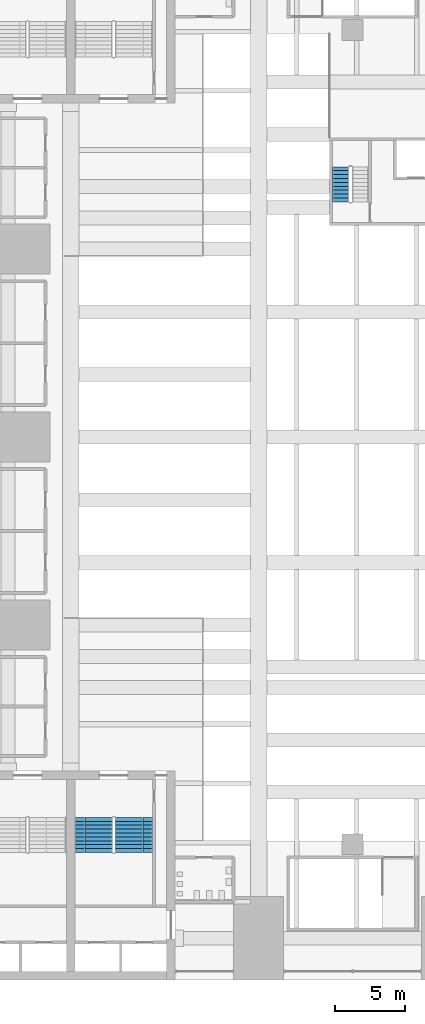
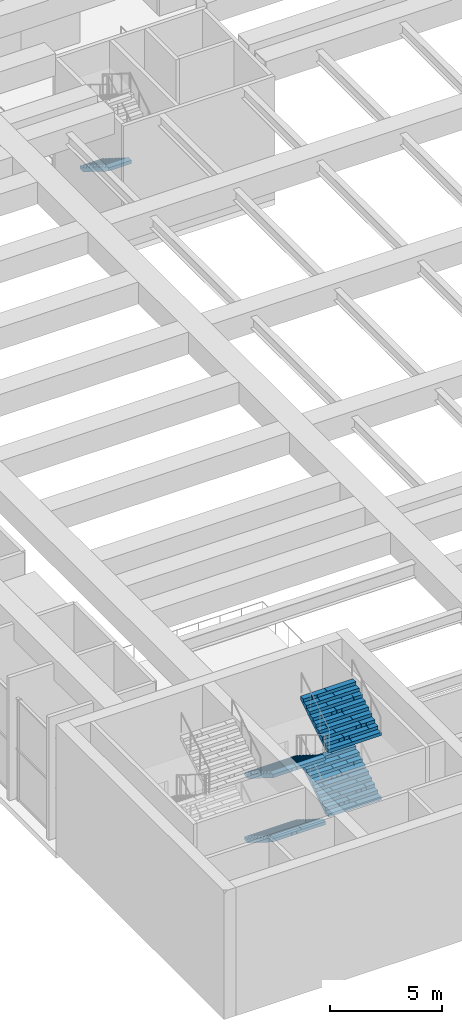
# One storey, part 33 of 45: 5 stair flights, 2 elements without a shape of their own.
"""IFC4 building model written with IfcOpenShell, lengths in metres."""

from ifc_helpers import new_model, si_unit, direction, frame, origin, place, context, subcontext, project, spatial, polyline, outline, extrude, material, type_object, element, aggregate, save


model = new_model("IFC4")

# Units and contexts
model_context = context("Model", 3, precision=1e-05, world=origin(), true_north=direction((0.0, 1.0)))
body_context = subcontext(model_context, "Body", "Model", "MODEL_VIEW")
ifc_project = project(units=[si_unit("LENGTHUNIT", "METRE"), si_unit("AREAUNIT", "SQUARE_METRE"), si_unit("VOLUMEUNIT", "CUBIC_METRE"), si_unit("PLANEANGLEUNIT", "RADIAN"), si_unit("MASSUNIT", "GRAM", prefix="KILO")], contexts=[model_context])

# Site, building, storey
site_placement = place(None, origin())
site = spatial("IfcSite", under=ifc_project, at=site_placement, CompositionType="ELEMENT")
building_placement = place(site_placement, origin())
building = spatial("IfcBuilding", under=site, at=building_placement, Name="Corbelhall Arena Tower", CompositionType="ELEMENT")
storey_placement = place(building_placement, frame((0.0, 0.0, 37.0)))
storey = spatial("IfcBuildingStorey", under=building, at=storey_placement, Name="L05", CompositionType="ELEMENT", Elevation=37.0)

# Stair, stair flights
ifc_material_1 = material(Name="Reinforced concrete C40/50", Category="concrete")
stair_type_1 = type_object("IfcStairType", Name="AR-EXIT-STAIR", PredefinedType="HALF_TURN_STAIR", material=ifc_material_1)
stair_1_placement = place(storey_placement, origin())
stair_1 = element("IfcStair", 1, at=stair_1_placement, inside=storey, type_object=stair_type_1, Name="L05 exit stair AS7", PredefinedType="HALF_TURN_STAIR")
stair_flight_type_1 = type_object("IfcStairFlightType", Name="AR-EXIT-FLIGHT", PredefinedType="STRAIGHT", material=ifc_material_1)
stair_flight_1_placement = place(storey_placement, frame((-38.840087890625, -27.320068359375, 0.0), z_axis=(0.0, 0.0, 1.0), x_axis=(0.0, -1.0, 0.0)))
stair_flight_1 = element("IfcStairFlight", 2, at=stair_flight_1_placement, type_object=stair_flight_type_1, Name="AS7 flight 1", NumberOfRisers=10, NumberOfTreads=9, PredefinedType="STRAIGHT", RiserHeight=0.175, TreadLength=0.28, context=body_context, shape_type="SweptSolid", body=[
    extrude(outline(polyline([(0.0, 0.0), (0.0, 0.175048828125), (0.280029296875, 0.175048828125), (0.280029296875, 0.35009765625), (0.56005859375, 0.35009765625), (0.56005859375, 0.52490234375), (0.840087890625, 0.52490234375), (0.840087890625, 0.699951171875), (1.1201171875, 0.699951171875), (1.1201171875, 0.875), (1.39990234375, 0.875), (1.39990234375, 1.050048828125), (1.679931640625, 1.050048828125), (1.679931640625, 1.22509765625), (1.9599609375, 1.22509765625), (1.9599609375, 1.39990234375), (2.239990234375, 1.39990234375), (2.239990234375, 1.574951171875), (2.52001953125, 1.574951171875), (2.52001953125, 1.75), (2.52001953125, 1.398193359375), (0.28271484375, 0.0), (0.0, 0.0)])), frame((0.0, 1.35986328125, 0.0), z_axis=(0.0, -1.0, 0.0), x_axis=(1.0, 0.0, 0.0)), (0.0, 0.0, 1.0), 0.449951171875),
    extrude(outline(polyline([(0.0, 0.0), (0.0, 0.175048828125), (0.280029296875, 0.175048828125), (0.280029296875, 0.35009765625), (0.56005859375, 0.35009765625), (0.56005859375, 0.52490234375), (0.840087890625, 0.52490234375), (0.840087890625, 0.699951171875), (1.1201171875, 0.699951171875), (1.1201171875, 0.875), (1.39990234375, 0.875), (1.39990234375, 1.050048828125), (1.679931640625, 1.050048828125), (1.679931640625, 1.22509765625), (1.9599609375, 1.22509765625), (1.9599609375, 1.39990234375), (2.239990234375, 1.39990234375), (2.239990234375, 1.574951171875), (2.52001953125, 1.574951171875), (2.52001953125, 1.75), (2.52001953125, 1.398193359375), (0.28271484375, 0.0), (0.0, 0.0)])), frame((0.0, 0.906005859375, 0.0), z_axis=(0.0, -1.0, 0.0), x_axis=(1.0, 0.0, 0.0)), (0.0, 0.0, 1.0), 0.25537109375),
    extrude(outline(polyline([(0.0, 0.0), (0.0, 0.175048828125), (0.280029296875, 0.175048828125), (0.280029296875, 0.35009765625), (0.56005859375, 0.35009765625), (0.56005859375, 0.52490234375), (0.840087890625, 0.52490234375), (0.840087890625, 0.699951171875), (1.1201171875, 0.699951171875), (1.1201171875, 0.875), (1.39990234375, 0.875), (1.39990234375, 1.050048828125), (1.679931640625, 1.050048828125), (1.679931640625, 1.22509765625), (1.9599609375, 1.22509765625), (1.9599609375, 1.39990234375), (2.239990234375, 1.39990234375), (2.239990234375, 1.574951171875), (2.52001953125, 1.574951171875), (2.52001953125, 1.75), (2.52001953125, 1.398193359375), (0.28271484375, 0.0), (0.0, 0.0)])), frame((0.0, 0.646484375, 0.0), z_axis=(0.0, -1.0, 0.0), x_axis=(1.0, 0.0, 0.0)), (0.0, 0.0, 1.0), 0.25537109375),
    extrude(outline(polyline([(0.0, 0.0), (0.0, 0.175048828125), (0.280029296875, 0.175048828125), (0.280029296875, 0.35009765625), (0.56005859375, 0.35009765625), (0.56005859375, 0.52490234375), (0.840087890625, 0.52490234375), (0.840087890625, 0.699951171875), (1.1201171875, 0.699951171875), (1.1201171875, 0.875), (1.39990234375, 0.875), (1.39990234375, 1.050048828125), (1.679931640625, 1.050048828125), (1.679931640625, 1.22509765625), (1.9599609375, 1.22509765625), (1.9599609375, 1.39990234375), (2.239990234375, 1.39990234375), (2.239990234375, 1.574951171875), (2.52001953125, 1.574951171875), (2.52001953125, 1.75), (2.52001953125, 1.398193359375), (0.28271484375, 0.0), (0.0, 0.0)])), frame((0.0, 0.38720703125, 0.0), z_axis=(0.0, -1.0, 0.0), x_axis=(1.0, 0.0, 0.0)), (0.0, 0.0, 1.0), 0.25537109375),
    extrude(outline(polyline([(0.0, 0.0), (0.0, 0.175048828125), (0.280029296875, 0.175048828125), (0.280029296875, 0.35009765625), (0.56005859375, 0.35009765625), (0.56005859375, 0.52490234375), (0.840087890625, 0.52490234375), (0.840087890625, 0.699951171875), (1.1201171875, 0.699951171875), (1.1201171875, 0.875), (1.39990234375, 0.875), (1.39990234375, 1.050048828125), (1.679931640625, 1.050048828125), (1.679931640625, 1.22509765625), (1.9599609375, 1.22509765625), (1.9599609375, 1.39990234375), (2.239990234375, 1.39990234375), (2.239990234375, 1.574951171875), (2.52001953125, 1.574951171875), (2.52001953125, 1.75), (2.52001953125, 1.398193359375), (0.28271484375, 0.0), (0.0, 0.0)])), frame((0.0, 0.127685546875, 0.0), z_axis=(0.0, -1.0, 0.0), x_axis=(1.0, 0.0, 0.0)), (0.0, 0.0, 1.0), 0.25537109375),
    extrude(outline(polyline([(0.0, 0.0), (0.0, 0.175048828125), (0.280029296875, 0.175048828125), (0.280029296875, 0.35009765625), (0.56005859375, 0.35009765625), (0.56005859375, 0.52490234375), (0.840087890625, 0.52490234375), (0.840087890625, 0.699951171875), (1.1201171875, 0.699951171875), (1.1201171875, 0.875), (1.39990234375, 0.875), (1.39990234375, 1.050048828125), (1.679931640625, 1.050048828125), (1.679931640625, 1.22509765625), (1.9599609375, 1.22509765625), (1.9599609375, 1.39990234375), (2.239990234375, 1.39990234375), (2.239990234375, 1.574951171875), (2.52001953125, 1.574951171875), (2.52001953125, 1.75), (2.52001953125, 1.398193359375), (0.28271484375, 0.0), (0.0, 0.0)])), frame((0.0, -0.131591796875, 0.0), z_axis=(0.0, -1.0, 0.0), x_axis=(1.0, 0.0, 0.0)), (0.0, 0.0, 1.0), 0.25537109375),
    extrude(outline(polyline([(0.0, 0.0), (0.0, 0.175048828125), (0.280029296875, 0.175048828125), (0.280029296875, 0.35009765625), (0.56005859375, 0.35009765625), (0.56005859375, 0.52490234375), (0.840087890625, 0.52490234375), (0.840087890625, 0.699951171875), (1.1201171875, 0.699951171875), (1.1201171875, 0.875), (1.39990234375, 0.875), (1.39990234375, 1.050048828125), (1.679931640625, 1.050048828125), (1.679931640625, 1.22509765625), (1.9599609375, 1.22509765625), (1.9599609375, 1.39990234375), (2.239990234375, 1.39990234375), (2.239990234375, 1.574951171875), (2.52001953125, 1.574951171875), (2.52001953125, 1.75), (2.52001953125, 1.398193359375), (0.28271484375, 0.0), (0.0, 0.0)])), frame((0.0, -0.39111328125, 0.0), z_axis=(0.0, -1.0, 0.0), x_axis=(1.0, 0.0, 0.0)), (0.0, 0.0, 1.0), 0.25537109375),
    extrude(outline(polyline([(0.0, 0.0), (0.0, 0.175048828125), (0.280029296875, 0.175048828125), (0.280029296875, 0.35009765625), (0.56005859375, 0.35009765625), (0.56005859375, 0.52490234375), (0.840087890625, 0.52490234375), (0.840087890625, 0.699951171875), (1.1201171875, 0.699951171875), (1.1201171875, 0.875), (1.39990234375, 0.875), (1.39990234375, 1.050048828125), (1.679931640625, 1.050048828125), (1.679931640625, 1.22509765625), (1.9599609375, 1.22509765625), (1.9599609375, 1.39990234375), (2.239990234375, 1.39990234375), (2.239990234375, 1.574951171875), (2.52001953125, 1.574951171875), (2.52001953125, 1.75), (2.52001953125, 1.398193359375), (0.28271484375, 0.0), (0.0, 0.0)])), frame((0.0, -0.650634765625, 0.0), z_axis=(0.0, -1.0, 0.0), x_axis=(1.0, 0.0, 0.0)), (0.0, 0.0, 1.0), 0.25537109375),
    extrude(outline(polyline([(0.0, 0.0), (0.0, 0.175048828125), (0.280029296875, 0.175048828125), (0.280029296875, 0.35009765625), (0.56005859375, 0.35009765625), (0.56005859375, 0.52490234375), (0.840087890625, 0.52490234375), (0.840087890625, 0.699951171875), (1.1201171875, 0.699951171875), (1.1201171875, 0.875), (1.39990234375, 0.875), (1.39990234375, 1.050048828125), (1.679931640625, 1.050048828125), (1.679931640625, 1.22509765625), (1.9599609375, 1.22509765625), (1.9599609375, 1.39990234375), (2.239990234375, 1.39990234375), (2.239990234375, 1.574951171875), (2.52001953125, 1.574951171875), (2.52001953125, 1.75), (2.52001953125, 1.398193359375), (0.28271484375, 0.0), (0.0, 0.0)])), frame((0.0, -0.909912109375, 0.0), z_axis=(0.0, -1.0, 0.0), x_axis=(1.0, 0.0, 0.0)), (0.0, 0.0, 1.0), 0.449951171875),
])
stair_flight_2_placement = place(storey_placement, frame((-35.969970703125, -29.840087890625, 1.75), z_axis=(0.0, 0.0, 1.0), x_axis=(0.0, 1.0, 0.0)))
stair_flight_2 = element("IfcStairFlight", 3, at=stair_flight_2_placement, type_object=stair_flight_type_1, Name="AS7 flight 2", NumberOfRisers=10, NumberOfTreads=9, PredefinedType="STRAIGHT", RiserHeight=0.175, TreadLength=0.28, context=body_context, shape_type="SweptSolid", body=[
    extrude(outline(polyline([(0.0, 0.0), (0.0, 0.175048828125), (0.280029296875, 0.175048828125), (0.280029296875, 0.35009765625), (0.56005859375, 0.35009765625), (0.56005859375, 0.52490234375), (0.840087890625, 0.52490234375), (0.840087890625, 0.699951171875), (1.1201171875, 0.699951171875), (1.1201171875, 0.875), (1.39990234375, 0.875), (1.39990234375, 1.050048828125), (1.679931640625, 1.050048828125), (1.679931640625, 1.22509765625), (1.9599609375, 1.22509765625), (1.9599609375, 1.39990234375), (2.239990234375, 1.39990234375), (2.239990234375, 1.574951171875), (2.52001953125, 1.574951171875), (2.52001953125, 1.75), (2.52001953125, 1.398193359375), (0.28271484375, 0.0), (0.0, 0.0)])), frame((0.0, 1.35986328125, 0.0), z_axis=(0.0, -1.0, 0.0), x_axis=(1.0, 0.0, 0.0)), (0.0, 0.0, 1.0), 0.449951171875),
    extrude(outline(polyline([(0.0, 0.0), (0.0, 0.175048828125), (0.280029296875, 0.175048828125), (0.280029296875, 0.35009765625), (0.56005859375, 0.35009765625), (0.56005859375, 0.52490234375), (0.840087890625, 0.52490234375), (0.840087890625, 0.699951171875), (1.1201171875, 0.699951171875), (1.1201171875, 0.875), (1.39990234375, 0.875), (1.39990234375, 1.050048828125), (1.679931640625, 1.050048828125), (1.679931640625, 1.22509765625), (1.9599609375, 1.22509765625), (1.9599609375, 1.39990234375), (2.239990234375, 1.39990234375), (2.239990234375, 1.574951171875), (2.52001953125, 1.574951171875), (2.52001953125, 1.75), (2.52001953125, 1.398193359375), (0.28271484375, 0.0), (0.0, 0.0)])), frame((0.0, 0.906005859375, 0.0), z_axis=(0.0, -1.0, 0.0), x_axis=(1.0, 0.0, 0.0)), (0.0, 0.0, 1.0), 0.25537109375),
    extrude(outline(polyline([(0.0, 0.0), (0.0, 0.175048828125), (0.280029296875, 0.175048828125), (0.280029296875, 0.35009765625), (0.56005859375, 0.35009765625), (0.56005859375, 0.52490234375), (0.840087890625, 0.52490234375), (0.840087890625, 0.699951171875), (1.1201171875, 0.699951171875), (1.1201171875, 0.875), (1.39990234375, 0.875), (1.39990234375, 1.050048828125), (1.679931640625, 1.050048828125), (1.679931640625, 1.22509765625), (1.9599609375, 1.22509765625), (1.9599609375, 1.39990234375), (2.239990234375, 1.39990234375), (2.239990234375, 1.574951171875), (2.52001953125, 1.574951171875), (2.52001953125, 1.75), (2.52001953125, 1.398193359375), (0.28271484375, 0.0), (0.0, 0.0)])), frame((0.0, 0.646484375, 0.0), z_axis=(0.0, -1.0, 0.0), x_axis=(1.0, 0.0, 0.0)), (0.0, 0.0, 1.0), 0.25537109375),
    extrude(outline(polyline([(0.0, 0.0), (0.0, 0.175048828125), (0.280029296875, 0.175048828125), (0.280029296875, 0.35009765625), (0.56005859375, 0.35009765625), (0.56005859375, 0.52490234375), (0.840087890625, 0.52490234375), (0.840087890625, 0.699951171875), (1.1201171875, 0.699951171875), (1.1201171875, 0.875), (1.39990234375, 0.875), (1.39990234375, 1.050048828125), (1.679931640625, 1.050048828125), (1.679931640625, 1.22509765625), (1.9599609375, 1.22509765625), (1.9599609375, 1.39990234375), (2.239990234375, 1.39990234375), (2.239990234375, 1.574951171875), (2.52001953125, 1.574951171875), (2.52001953125, 1.75), (2.52001953125, 1.398193359375), (0.28271484375, 0.0), (0.0, 0.0)])), frame((0.0, 0.38720703125, 0.0), z_axis=(0.0, -1.0, 0.0), x_axis=(1.0, 0.0, 0.0)), (0.0, 0.0, 1.0), 0.25537109375),
    extrude(outline(polyline([(0.0, 0.0), (0.0, 0.175048828125), (0.280029296875, 0.175048828125), (0.280029296875, 0.35009765625), (0.56005859375, 0.35009765625), (0.56005859375, 0.52490234375), (0.840087890625, 0.52490234375), (0.840087890625, 0.699951171875), (1.1201171875, 0.699951171875), (1.1201171875, 0.875), (1.39990234375, 0.875), (1.39990234375, 1.050048828125), (1.679931640625, 1.050048828125), (1.679931640625, 1.22509765625), (1.9599609375, 1.22509765625), (1.9599609375, 1.39990234375), (2.239990234375, 1.39990234375), (2.239990234375, 1.574951171875), (2.52001953125, 1.574951171875), (2.52001953125, 1.75), (2.52001953125, 1.398193359375), (0.28271484375, 0.0), (0.0, 0.0)])), frame((0.0, 0.127685546875, 0.0), z_axis=(0.0, -1.0, 0.0), x_axis=(1.0, 0.0, 0.0)), (0.0, 0.0, 1.0), 0.25537109375),
    extrude(outline(polyline([(0.0, 0.0), (0.0, 0.175048828125), (0.280029296875, 0.175048828125), (0.280029296875, 0.35009765625), (0.56005859375, 0.35009765625), (0.56005859375, 0.52490234375), (0.840087890625, 0.52490234375), (0.840087890625, 0.699951171875), (1.1201171875, 0.699951171875), (1.1201171875, 0.875), (1.39990234375, 0.875), (1.39990234375, 1.050048828125), (1.679931640625, 1.050048828125), (1.679931640625, 1.22509765625), (1.9599609375, 1.22509765625), (1.9599609375, 1.39990234375), (2.239990234375, 1.39990234375), (2.239990234375, 1.574951171875), (2.52001953125, 1.574951171875), (2.52001953125, 1.75), (2.52001953125, 1.398193359375), (0.28271484375, 0.0), (0.0, 0.0)])), frame((0.0, -0.131591796875, 0.0), z_axis=(0.0, -1.0, 0.0), x_axis=(1.0, 0.0, 0.0)), (0.0, 0.0, 1.0), 0.25537109375),
    extrude(outline(polyline([(0.0, 0.0), (0.0, 0.175048828125), (0.280029296875, 0.175048828125), (0.280029296875, 0.35009765625), (0.56005859375, 0.35009765625), (0.56005859375, 0.52490234375), (0.840087890625, 0.52490234375), (0.840087890625, 0.699951171875), (1.1201171875, 0.699951171875), (1.1201171875, 0.875), (1.39990234375, 0.875), (1.39990234375, 1.050048828125), (1.679931640625, 1.050048828125), (1.679931640625, 1.22509765625), (1.9599609375, 1.22509765625), (1.9599609375, 1.39990234375), (2.239990234375, 1.39990234375), (2.239990234375, 1.574951171875), (2.52001953125, 1.574951171875), (2.52001953125, 1.75), (2.52001953125, 1.398193359375), (0.28271484375, 0.0), (0.0, 0.0)])), frame((0.0, -0.39111328125, 0.0), z_axis=(0.0, -1.0, 0.0), x_axis=(1.0, 0.0, 0.0)), (0.0, 0.0, 1.0), 0.25537109375),
    extrude(outline(polyline([(0.0, 0.0), (0.0, 0.175048828125), (0.280029296875, 0.175048828125), (0.280029296875, 0.35009765625), (0.56005859375, 0.35009765625), (0.56005859375, 0.52490234375), (0.840087890625, 0.52490234375), (0.840087890625, 0.699951171875), (1.1201171875, 0.699951171875), (1.1201171875, 0.875), (1.39990234375, 0.875), (1.39990234375, 1.050048828125), (1.679931640625, 1.050048828125), (1.679931640625, 1.22509765625), (1.9599609375, 1.22509765625), (1.9599609375, 1.39990234375), (2.239990234375, 1.39990234375), (2.239990234375, 1.574951171875), (2.52001953125, 1.574951171875), (2.52001953125, 1.75), (2.52001953125, 1.398193359375), (0.28271484375, 0.0), (0.0, 0.0)])), frame((0.0, -0.650634765625, 0.0), z_axis=(0.0, -1.0, 0.0), x_axis=(1.0, 0.0, 0.0)), (0.0, 0.0, 1.0), 0.25537109375),
    extrude(outline(polyline([(0.0, 0.0), (0.0, 0.175048828125), (0.280029296875, 0.175048828125), (0.280029296875, 0.35009765625), (0.56005859375, 0.35009765625), (0.56005859375, 0.52490234375), (0.840087890625, 0.52490234375), (0.840087890625, 0.699951171875), (1.1201171875, 0.699951171875), (1.1201171875, 0.875), (1.39990234375, 0.875), (1.39990234375, 1.050048828125), (1.679931640625, 1.050048828125), (1.679931640625, 1.22509765625), (1.9599609375, 1.22509765625), (1.9599609375, 1.39990234375), (2.239990234375, 1.39990234375), (2.239990234375, 1.574951171875), (2.52001953125, 1.574951171875), (2.52001953125, 1.75), (2.52001953125, 1.398193359375), (0.28271484375, 0.0), (0.0, 0.0)])), frame((0.0, -0.909912109375, 0.0), z_axis=(0.0, -1.0, 0.0), x_axis=(1.0, 0.0, 0.0)), (0.0, 0.0, 1.0), 0.449951171875),
])
stair_flight_3_placement = place(storey_placement, frame((-38.840087890625, -27.320068359375, 3.5), z_axis=(0.0, 0.0, 1.0), x_axis=(0.0, -1.0, 0.0)))
stair_flight_3 = element("IfcStairFlight", 4, at=stair_flight_3_placement, type_object=stair_flight_type_1, Name="AS7 flight 3", NumberOfRisers=10, NumberOfTreads=9, PredefinedType="STRAIGHT", RiserHeight=0.175, TreadLength=0.28, context=body_context, shape_type="SweptSolid", body=[
    extrude(outline(polyline([(0.0, 0.0), (0.0, 0.175048828125), (0.280029296875, 0.175048828125), (0.280029296875, 0.35009765625), (0.56005859375, 0.35009765625), (0.56005859375, 0.52490234375), (0.840087890625, 0.52490234375), (0.840087890625, 0.699951171875), (1.1201171875, 0.699951171875), (1.1201171875, 0.875), (1.39990234375, 0.875), (1.39990234375, 1.050048828125), (1.679931640625, 1.050048828125), (1.679931640625, 1.22509765625), (1.9599609375, 1.22509765625), (1.9599609375, 1.39990234375), (2.239990234375, 1.39990234375), (2.239990234375, 1.574951171875), (2.52001953125, 1.574951171875), (2.52001953125, 1.75), (2.52001953125, 1.398193359375), (0.28271484375, 0.0), (0.0, 0.0)])), frame((0.0, 1.35986328125, 0.0), z_axis=(0.0, -1.0, 0.0), x_axis=(1.0, 0.0, 0.0)), (0.0, 0.0, 1.0), 0.449951171875),
    extrude(outline(polyline([(0.0, 0.0), (0.0, 0.175048828125), (0.280029296875, 0.175048828125), (0.280029296875, 0.35009765625), (0.56005859375, 0.35009765625), (0.56005859375, 0.52490234375), (0.840087890625, 0.52490234375), (0.840087890625, 0.699951171875), (1.1201171875, 0.699951171875), (1.1201171875, 0.875), (1.39990234375, 0.875), (1.39990234375, 1.050048828125), (1.679931640625, 1.050048828125), (1.679931640625, 1.22509765625), (1.9599609375, 1.22509765625), (1.9599609375, 1.39990234375), (2.239990234375, 1.39990234375), (2.239990234375, 1.574951171875), (2.52001953125, 1.574951171875), (2.52001953125, 1.75), (2.52001953125, 1.398193359375), (0.28271484375, 0.0), (0.0, 0.0)])), frame((0.0, 0.906005859375, 0.0), z_axis=(0.0, -1.0, 0.0), x_axis=(1.0, 0.0, 0.0)), (0.0, 0.0, 1.0), 0.25537109375),
    extrude(outline(polyline([(0.0, 0.0), (0.0, 0.175048828125), (0.280029296875, 0.175048828125), (0.280029296875, 0.35009765625), (0.56005859375, 0.35009765625), (0.56005859375, 0.52490234375), (0.840087890625, 0.52490234375), (0.840087890625, 0.699951171875), (1.1201171875, 0.699951171875), (1.1201171875, 0.875), (1.39990234375, 0.875), (1.39990234375, 1.050048828125), (1.679931640625, 1.050048828125), (1.679931640625, 1.22509765625), (1.9599609375, 1.22509765625), (1.9599609375, 1.39990234375), (2.239990234375, 1.39990234375), (2.239990234375, 1.574951171875), (2.52001953125, 1.574951171875), (2.52001953125, 1.75), (2.52001953125, 1.398193359375), (0.28271484375, 0.0), (0.0, 0.0)])), frame((0.0, 0.646484375, 0.0), z_axis=(0.0, -1.0, 0.0), x_axis=(1.0, 0.0, 0.0)), (0.0, 0.0, 1.0), 0.25537109375),
    extrude(outline(polyline([(0.0, 0.0), (0.0, 0.175048828125), (0.280029296875, 0.175048828125), (0.280029296875, 0.35009765625), (0.56005859375, 0.35009765625), (0.56005859375, 0.52490234375), (0.840087890625, 0.52490234375), (0.840087890625, 0.699951171875), (1.1201171875, 0.699951171875), (1.1201171875, 0.875), (1.39990234375, 0.875), (1.39990234375, 1.050048828125), (1.679931640625, 1.050048828125), (1.679931640625, 1.22509765625), (1.9599609375, 1.22509765625), (1.9599609375, 1.39990234375), (2.239990234375, 1.39990234375), (2.239990234375, 1.574951171875), (2.52001953125, 1.574951171875), (2.52001953125, 1.75), (2.52001953125, 1.398193359375), (0.28271484375, 0.0), (0.0, 0.0)])), frame((0.0, 0.38720703125, 0.0), z_axis=(0.0, -1.0, 0.0), x_axis=(1.0, 0.0, 0.0)), (0.0, 0.0, 1.0), 0.25537109375),
    extrude(outline(polyline([(0.0, 0.0), (0.0, 0.175048828125), (0.280029296875, 0.175048828125), (0.280029296875, 0.35009765625), (0.56005859375, 0.35009765625), (0.56005859375, 0.52490234375), (0.840087890625, 0.52490234375), (0.840087890625, 0.699951171875), (1.1201171875, 0.699951171875), (1.1201171875, 0.875), (1.39990234375, 0.875), (1.39990234375, 1.050048828125), (1.679931640625, 1.050048828125), (1.679931640625, 1.22509765625), (1.9599609375, 1.22509765625), (1.9599609375, 1.39990234375), (2.239990234375, 1.39990234375), (2.239990234375, 1.574951171875), (2.52001953125, 1.574951171875), (2.52001953125, 1.75), (2.52001953125, 1.398193359375), (0.28271484375, 0.0), (0.0, 0.0)])), frame((0.0, 0.127685546875, 0.0), z_axis=(0.0, -1.0, 0.0), x_axis=(1.0, 0.0, 0.0)), (0.0, 0.0, 1.0), 0.25537109375),
    extrude(outline(polyline([(0.0, 0.0), (0.0, 0.175048828125), (0.280029296875, 0.175048828125), (0.280029296875, 0.35009765625), (0.56005859375, 0.35009765625), (0.56005859375, 0.52490234375), (0.840087890625, 0.52490234375), (0.840087890625, 0.699951171875), (1.1201171875, 0.699951171875), (1.1201171875, 0.875), (1.39990234375, 0.875), (1.39990234375, 1.050048828125), (1.679931640625, 1.050048828125), (1.679931640625, 1.22509765625), (1.9599609375, 1.22509765625), (1.9599609375, 1.39990234375), (2.239990234375, 1.39990234375), (2.239990234375, 1.574951171875), (2.52001953125, 1.574951171875), (2.52001953125, 1.75), (2.52001953125, 1.398193359375), (0.28271484375, 0.0), (0.0, 0.0)])), frame((0.0, -0.131591796875, 0.0), z_axis=(0.0, -1.0, 0.0), x_axis=(1.0, 0.0, 0.0)), (0.0, 0.0, 1.0), 0.25537109375),
    extrude(outline(polyline([(0.0, 0.0), (0.0, 0.175048828125), (0.280029296875, 0.175048828125), (0.280029296875, 0.35009765625), (0.56005859375, 0.35009765625), (0.56005859375, 0.52490234375), (0.840087890625, 0.52490234375), (0.840087890625, 0.699951171875), (1.1201171875, 0.699951171875), (1.1201171875, 0.875), (1.39990234375, 0.875), (1.39990234375, 1.050048828125), (1.679931640625, 1.050048828125), (1.679931640625, 1.22509765625), (1.9599609375, 1.22509765625), (1.9599609375, 1.39990234375), (2.239990234375, 1.39990234375), (2.239990234375, 1.574951171875), (2.52001953125, 1.574951171875), (2.52001953125, 1.75), (2.52001953125, 1.398193359375), (0.28271484375, 0.0), (0.0, 0.0)])), frame((0.0, -0.39111328125, 0.0), z_axis=(0.0, -1.0, 0.0), x_axis=(1.0, 0.0, 0.0)), (0.0, 0.0, 1.0), 0.25537109375),
    extrude(outline(polyline([(0.0, 0.0), (0.0, 0.175048828125), (0.280029296875, 0.175048828125), (0.280029296875, 0.35009765625), (0.56005859375, 0.35009765625), (0.56005859375, 0.52490234375), (0.840087890625, 0.52490234375), (0.840087890625, 0.699951171875), (1.1201171875, 0.699951171875), (1.1201171875, 0.875), (1.39990234375, 0.875), (1.39990234375, 1.050048828125), (1.679931640625, 1.050048828125), (1.679931640625, 1.22509765625), (1.9599609375, 1.22509765625), (1.9599609375, 1.39990234375), (2.239990234375, 1.39990234375), (2.239990234375, 1.574951171875), (2.52001953125, 1.574951171875), (2.52001953125, 1.75), (2.52001953125, 1.398193359375), (0.28271484375, 0.0), (0.0, 0.0)])), frame((0.0, -0.650634765625, 0.0), z_axis=(0.0, -1.0, 0.0), x_axis=(1.0, 0.0, 0.0)), (0.0, 0.0, 1.0), 0.25537109375),
    extrude(outline(polyline([(0.0, 0.0), (0.0, 0.175048828125), (0.280029296875, 0.175048828125), (0.280029296875, 0.35009765625), (0.56005859375, 0.35009765625), (0.56005859375, 0.52490234375), (0.840087890625, 0.52490234375), (0.840087890625, 0.699951171875), (1.1201171875, 0.699951171875), (1.1201171875, 0.875), (1.39990234375, 0.875), (1.39990234375, 1.050048828125), (1.679931640625, 1.050048828125), (1.679931640625, 1.22509765625), (1.9599609375, 1.22509765625), (1.9599609375, 1.39990234375), (2.239990234375, 1.39990234375), (2.239990234375, 1.574951171875), (2.52001953125, 1.574951171875), (2.52001953125, 1.75), (2.52001953125, 1.398193359375), (0.28271484375, 0.0), (0.0, 0.0)])), frame((0.0, -0.909912109375, 0.0), z_axis=(0.0, -1.0, 0.0), x_axis=(1.0, 0.0, 0.0)), (0.0, 0.0, 1.0), 0.449951171875),
])
stair_flight_4_placement = place(storey_placement, frame((-35.969970703125, -29.840087890625, 5.25), z_axis=(0.0, 0.0, 1.0), x_axis=(0.0, 1.0, 0.0)))
stair_flight_4 = element("IfcStairFlight", 5, at=stair_flight_4_placement, type_object=stair_flight_type_1, Name="AS7 flight 4", NumberOfRisers=10, NumberOfTreads=9, PredefinedType="STRAIGHT", RiserHeight=0.175, TreadLength=0.28, context=body_context, shape_type="SweptSolid", body=[
    extrude(outline(polyline([(0.0, 0.0), (0.0, 0.175048828125), (0.280029296875, 0.175048828125), (0.280029296875, 0.35009765625), (0.56005859375, 0.35009765625), (0.56005859375, 0.52490234375), (0.840087890625, 0.52490234375), (0.840087890625, 0.699951171875), (1.1201171875, 0.699951171875), (1.1201171875, 0.875), (1.39990234375, 0.875), (1.39990234375, 1.050048828125), (1.679931640625, 1.050048828125), (1.679931640625, 1.22509765625), (1.9599609375, 1.22509765625), (1.9599609375, 1.39990234375), (2.239990234375, 1.39990234375), (2.239990234375, 1.574951171875), (2.52001953125, 1.574951171875), (2.52001953125, 1.75), (2.52001953125, 1.398193359375), (0.28271484375, 0.0), (0.0, 0.0)])), frame((0.0, 1.35986328125, 0.0), z_axis=(0.0, -1.0, 0.0), x_axis=(1.0, 0.0, 0.0)), (0.0, 0.0, 1.0), 0.449951171875),
    extrude(outline(polyline([(0.0, 0.0), (0.0, 0.175048828125), (0.280029296875, 0.175048828125), (0.280029296875, 0.35009765625), (0.56005859375, 0.35009765625), (0.56005859375, 0.52490234375), (0.840087890625, 0.52490234375), (0.840087890625, 0.699951171875), (1.1201171875, 0.699951171875), (1.1201171875, 0.875), (1.39990234375, 0.875), (1.39990234375, 1.050048828125), (1.679931640625, 1.050048828125), (1.679931640625, 1.22509765625), (1.9599609375, 1.22509765625), (1.9599609375, 1.39990234375), (2.239990234375, 1.39990234375), (2.239990234375, 1.574951171875), (2.52001953125, 1.574951171875), (2.52001953125, 1.75), (2.52001953125, 1.398193359375), (0.28271484375, 0.0), (0.0, 0.0)])), frame((0.0, 0.906005859375, 0.0), z_axis=(0.0, -1.0, 0.0), x_axis=(1.0, 0.0, 0.0)), (0.0, 0.0, 1.0), 0.25537109375),
    extrude(outline(polyline([(0.0, 0.0), (0.0, 0.175048828125), (0.280029296875, 0.175048828125), (0.280029296875, 0.35009765625), (0.56005859375, 0.35009765625), (0.56005859375, 0.52490234375), (0.840087890625, 0.52490234375), (0.840087890625, 0.699951171875), (1.1201171875, 0.699951171875), (1.1201171875, 0.875), (1.39990234375, 0.875), (1.39990234375, 1.050048828125), (1.679931640625, 1.050048828125), (1.679931640625, 1.22509765625), (1.9599609375, 1.22509765625), (1.9599609375, 1.39990234375), (2.239990234375, 1.39990234375), (2.239990234375, 1.574951171875), (2.52001953125, 1.574951171875), (2.52001953125, 1.75), (2.52001953125, 1.398193359375), (0.28271484375, 0.0), (0.0, 0.0)])), frame((0.0, 0.646484375, 0.0), z_axis=(0.0, -1.0, 0.0), x_axis=(1.0, 0.0, 0.0)), (0.0, 0.0, 1.0), 0.25537109375),
    extrude(outline(polyline([(0.0, 0.0), (0.0, 0.175048828125), (0.280029296875, 0.175048828125), (0.280029296875, 0.35009765625), (0.56005859375, 0.35009765625), (0.56005859375, 0.52490234375), (0.840087890625, 0.52490234375), (0.840087890625, 0.699951171875), (1.1201171875, 0.699951171875), (1.1201171875, 0.875), (1.39990234375, 0.875), (1.39990234375, 1.050048828125), (1.679931640625, 1.050048828125), (1.679931640625, 1.22509765625), (1.9599609375, 1.22509765625), (1.9599609375, 1.39990234375), (2.239990234375, 1.39990234375), (2.239990234375, 1.574951171875), (2.52001953125, 1.574951171875), (2.52001953125, 1.75), (2.52001953125, 1.398193359375), (0.28271484375, 0.0), (0.0, 0.0)])), frame((0.0, 0.38720703125, 0.0), z_axis=(0.0, -1.0, 0.0), x_axis=(1.0, 0.0, 0.0)), (0.0, 0.0, 1.0), 0.25537109375),
    extrude(outline(polyline([(0.0, 0.0), (0.0, 0.175048828125), (0.280029296875, 0.175048828125), (0.280029296875, 0.35009765625), (0.56005859375, 0.35009765625), (0.56005859375, 0.52490234375), (0.840087890625, 0.52490234375), (0.840087890625, 0.699951171875), (1.1201171875, 0.699951171875), (1.1201171875, 0.875), (1.39990234375, 0.875), (1.39990234375, 1.050048828125), (1.679931640625, 1.050048828125), (1.679931640625, 1.22509765625), (1.9599609375, 1.22509765625), (1.9599609375, 1.39990234375), (2.239990234375, 1.39990234375), (2.239990234375, 1.574951171875), (2.52001953125, 1.574951171875), (2.52001953125, 1.75), (2.52001953125, 1.398193359375), (0.28271484375, 0.0), (0.0, 0.0)])), frame((0.0, 0.127685546875, 0.0), z_axis=(0.0, -1.0, 0.0), x_axis=(1.0, 0.0, 0.0)), (0.0, 0.0, 1.0), 0.25537109375),
    extrude(outline(polyline([(0.0, 0.0), (0.0, 0.175048828125), (0.280029296875, 0.175048828125), (0.280029296875, 0.35009765625), (0.56005859375, 0.35009765625), (0.56005859375, 0.52490234375), (0.840087890625, 0.52490234375), (0.840087890625, 0.699951171875), (1.1201171875, 0.699951171875), (1.1201171875, 0.875), (1.39990234375, 0.875), (1.39990234375, 1.050048828125), (1.679931640625, 1.050048828125), (1.679931640625, 1.22509765625), (1.9599609375, 1.22509765625), (1.9599609375, 1.39990234375), (2.239990234375, 1.39990234375), (2.239990234375, 1.574951171875), (2.52001953125, 1.574951171875), (2.52001953125, 1.75), (2.52001953125, 1.398193359375), (0.28271484375, 0.0), (0.0, 0.0)])), frame((0.0, -0.131591796875, 0.0), z_axis=(0.0, -1.0, 0.0), x_axis=(1.0, 0.0, 0.0)), (0.0, 0.0, 1.0), 0.25537109375),
    extrude(outline(polyline([(0.0, 0.0), (0.0, 0.175048828125), (0.280029296875, 0.175048828125), (0.280029296875, 0.35009765625), (0.56005859375, 0.35009765625), (0.56005859375, 0.52490234375), (0.840087890625, 0.52490234375), (0.840087890625, 0.699951171875), (1.1201171875, 0.699951171875), (1.1201171875, 0.875), (1.39990234375, 0.875), (1.39990234375, 1.050048828125), (1.679931640625, 1.050048828125), (1.679931640625, 1.22509765625), (1.9599609375, 1.22509765625), (1.9599609375, 1.39990234375), (2.239990234375, 1.39990234375), (2.239990234375, 1.574951171875), (2.52001953125, 1.574951171875), (2.52001953125, 1.75), (2.52001953125, 1.398193359375), (0.28271484375, 0.0), (0.0, 0.0)])), frame((0.0, -0.39111328125, 0.0), z_axis=(0.0, -1.0, 0.0), x_axis=(1.0, 0.0, 0.0)), (0.0, 0.0, 1.0), 0.25537109375),
    extrude(outline(polyline([(0.0, 0.0), (0.0, 0.175048828125), (0.280029296875, 0.175048828125), (0.280029296875, 0.35009765625), (0.56005859375, 0.35009765625), (0.56005859375, 0.52490234375), (0.840087890625, 0.52490234375), (0.840087890625, 0.699951171875), (1.1201171875, 0.699951171875), (1.1201171875, 0.875), (1.39990234375, 0.875), (1.39990234375, 1.050048828125), (1.679931640625, 1.050048828125), (1.679931640625, 1.22509765625), (1.9599609375, 1.22509765625), (1.9599609375, 1.39990234375), (2.239990234375, 1.39990234375), (2.239990234375, 1.574951171875), (2.52001953125, 1.574951171875), (2.52001953125, 1.75), (2.52001953125, 1.398193359375), (0.28271484375, 0.0), (0.0, 0.0)])), frame((0.0, -0.650634765625, 0.0), z_axis=(0.0, -1.0, 0.0), x_axis=(1.0, 0.0, 0.0)), (0.0, 0.0, 1.0), 0.25537109375),
    extrude(outline(polyline([(0.0, 0.0), (0.0, 0.175048828125), (0.280029296875, 0.175048828125), (0.280029296875, 0.35009765625), (0.56005859375, 0.35009765625), (0.56005859375, 0.52490234375), (0.840087890625, 0.52490234375), (0.840087890625, 0.699951171875), (1.1201171875, 0.699951171875), (1.1201171875, 0.875), (1.39990234375, 0.875), (1.39990234375, 1.050048828125), (1.679931640625, 1.050048828125), (1.679931640625, 1.22509765625), (1.9599609375, 1.22509765625), (1.9599609375, 1.39990234375), (2.239990234375, 1.39990234375), (2.239990234375, 1.574951171875), (2.52001953125, 1.574951171875), (2.52001953125, 1.75), (2.52001953125, 1.398193359375), (0.28271484375, 0.0), (0.0, 0.0)])), frame((0.0, -0.909912109375, 0.0), z_axis=(0.0, -1.0, 0.0), x_axis=(1.0, 0.0, 0.0)), (0.0, 0.0, 1.0), 0.449951171875),
])
aggregate(stair_1, [stair_flight_1, stair_flight_2, stair_flight_3, stair_flight_4])

# Stair, stair flight
ifc_material_2 = material(Name="Concrete C40/50", Category="concrete")
stair_type_2 = type_object("IfcStairType", Name="IN-ST-TOWER", PredefinedType="HALF_TURN_STAIR", material=ifc_material_2)
stair_2_placement = place(storey_placement, origin())
stair_2 = element("IfcStair", 6, at=stair_2_placement, inside=storey, type_object=stair_type_2, Name="L05 Exit stair AS17", PredefinedType="HALF_TURN_STAIR")
stair_flight_type_2 = type_object("IfcStairFlightType", Name="IN-SFL-RC", PredefinedType="STRAIGHT", material=ifc_material_2)
stair_flight_5_placement = place(storey_placement, frame((-21.094970703125, 19.419921875, 1.75), z_axis=(0.0, 0.0, 1.0), x_axis=(0.0, -1.0, 0.0)))
stair_flight_5 = element("IfcStairFlight", 7, at=stair_flight_5_placement, type_object=stair_flight_type_2, Name="AS17 flight 2", NumberOfRisers=10, NumberOfTreads=9, PredefinedType="STRAIGHT", RiserHeight=0.175, TreadLength=0.28, context=body_context, shape_type="SweptSolid", body=[
    extrude(outline(polyline([(0.0, 0.0), (0.0, 0.175048828125), (0.280029296875, 0.175048828125), (0.280029296875, 0.35009765625), (0.56005859375, 0.35009765625), (0.56005859375, 0.52490234375), (0.840087890625, 0.52490234375), (0.840087890625, 0.699951171875), (1.1201171875, 0.699951171875), (1.1201171875, 0.875), (1.39990234375, 0.875), (1.39990234375, 1.050048828125), (1.679931640625, 1.050048828125), (1.679931640625, 1.22509765625), (1.9599609375, 1.22509765625), (1.9599609375, 1.39990234375), (2.239990234375, 1.39990234375), (2.239990234375, 1.574951171875), (2.52001953125, 1.574951171875), (2.52001953125, 1.75), (2.52001953125, 1.398193359375), (0.28271484375, 0.0), (0.0, 0.0)])), frame((0.0, 0.60009765625, 0.0), z_axis=(0.0, -1.0, 0.0), x_axis=(1.0, 0.0, 0.0)), (0.0, 0.0, 1.0), 1.199951171875),
])
aggregate(stair_2, [stair_flight_5])

save(model, "model.ifc")
